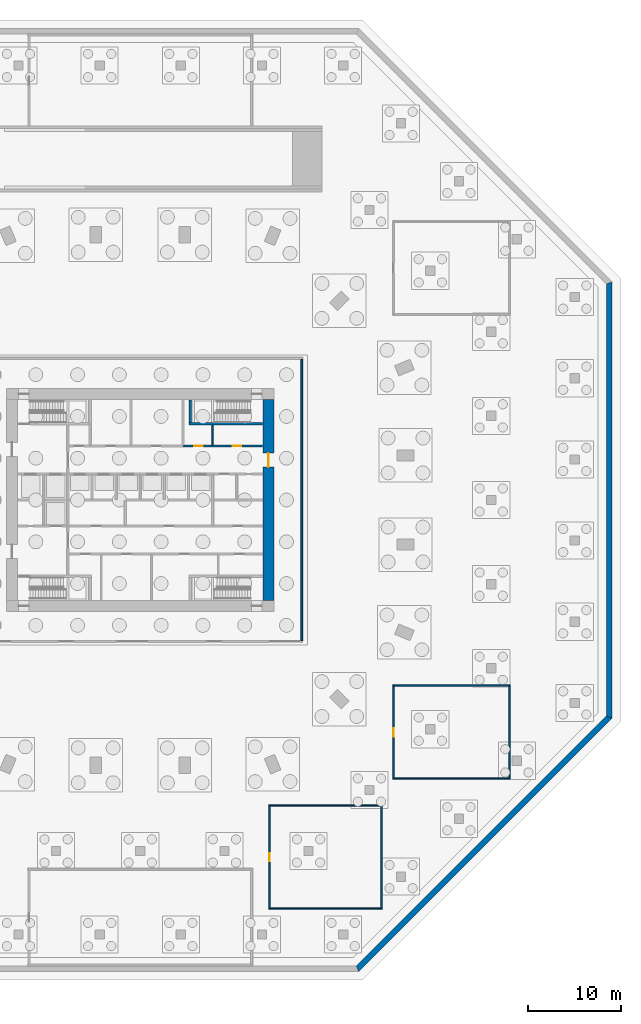
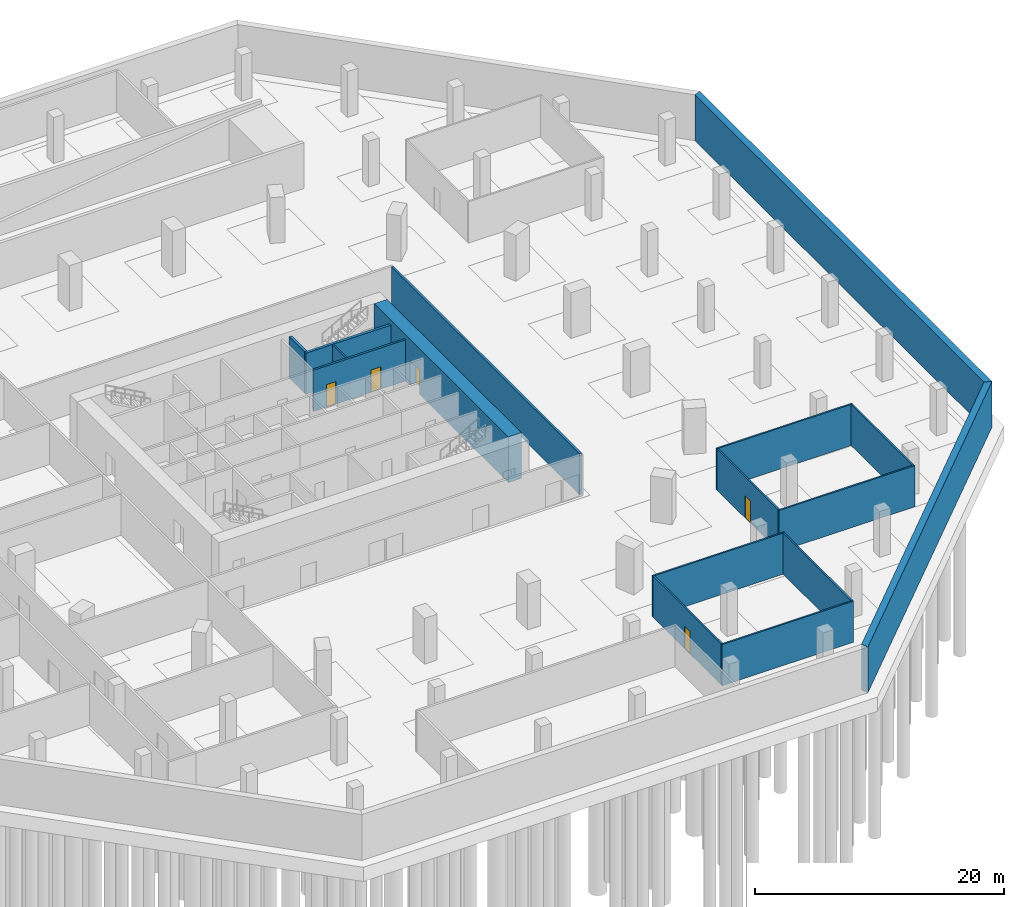
# One storey, part 9 of 14: 16 walls, 5 doors, 5 openings.
"""IFC4 building model written with IfcOpenShell, lengths in metres."""

from ifc_helpers import new_model, si_unit, direction, frame, frame_2d, origin, place, context, subcontext, project, spatial, polyline, rectangle, outline, extrude, material, layer, layer_set, type_object, element, fill, save


model = new_model("IFC4")

# Units and contexts
model_context = context("Model", 3, precision=1e-05, world=origin(), true_north=direction((0.0, 1.0)))
body_context = subcontext(model_context, "Body", "Model", "MODEL_VIEW")
ifc_project = project(units=[si_unit("LENGTHUNIT", "METRE"), si_unit("AREAUNIT", "SQUARE_METRE"), si_unit("VOLUMEUNIT", "CUBIC_METRE"), si_unit("PLANEANGLEUNIT", "RADIAN"), si_unit("MASSUNIT", "GRAM", prefix="KILO")], contexts=[model_context])

# Site, building, storey
site_placement = place(None, origin())
site = spatial("IfcSite", under=ifc_project, at=site_placement, CompositionType="ELEMENT")
building_placement = place(site_placement, origin())
building = spatial("IfcBuilding", under=site, at=building_placement, Name="Msitu Wima Residences", CompositionType="ELEMENT")
storey_placement = place(building_placement, frame((0.0, 0.0, -9.0)))
storey = spatial("IfcBuildingStorey", under=building, at=storey_placement, Name="B2", CompositionType="ELEMENT", Elevation=-9.0)

# Wall, opening, door
ifc_material_1 = material(Name="Concrete C80/95", Category="concrete")
ifc_layer_1 = layer(ifc_material_1, 1.199951171875)
ifc_layer_set_1 = layer_set([ifc_layer_1], Name="Concrete C80/95")
wall_type_1 = type_object("IfcWallType", Name="Core wall CW1200 C80/95", PredefinedType="SHEAR", material=ifc_layer_set_1)
wall_1_placement = place(storey_placement, frame((13.800048828125, -10.800048828125, 0.0), z_axis=(0.0, 0.0, 1.0), x_axis=(0.0, 1.0, 0.0)))
wall_1 = element("IfcWall", 1, at=wall_1_placement, inside=storey, type_object=wall_type_1, Name="Core wall", PredefinedType="SHEAR", context=body_context, shape_type="SweptSolid", body=[
    extrude(rectangle(XDim=21.60009765625, YDim=1.199951171875, at=frame_2d((10.800048828125, 0.0))), origin(), (0.0, 0.0, 1.0), 4.5),
])
opening_1_placement = place(wall_1_placement, frame((14.35009765625, 0.0, 0.0)))
opening_1 = element("IfcOpeningElement", 2, at=opening_1_placement, cuts=wall_1, Name="Opening DB2.046", PredefinedType="OPENING", context=body_context, shape_type="SweptSolid", body=[
    extrude(rectangle(XDim=1.5, YDim=2.39990234375, at=frame_2d((0.75, 1.199951171875))), frame((0.0, 0.60986328125, 0.0), z_axis=(0.0, -1.0, 0.0), x_axis=(1.0, 0.0, 0.0)), (0.0, 0.0, 1.0), 1.219970703125),
])
ifc_material_2 = material(Name="Steel framed glazed door, fire resisting", Category="steel")
door_type_1 = type_object("IfcDoorType", Name="Lobby door D07 1500x2400", OperationType="DOUBLE_DOOR_SINGLE_SWING", PredefinedType="DOOR", material=ifc_material_2)
door_1_placement = place(opening_1_placement, origin())
door_1 = element("IfcDoor", 3, at=door_1_placement, inside=storey, type_object=door_type_1, Name="Lobby door", OperationType="DOUBLE_DOOR_SINGLE_SWING", OverallHeight=2.39990234375, OverallWidth=1.5, PredefinedType="DOOR", context=body_context, shape_type="SweptSolid", body=[
    extrude(rectangle(XDim=1.5, YDim=2.39990234375, at=frame_2d((0.75, 1.199951171875))), frame((0.0, 0.02490234375, 0.0), z_axis=(0.0, -1.0, 0.0), x_axis=(1.0, 0.0, 0.0)), (0.0, 0.0, 1.0), 0.050048828125),
])
fill(opening_1, door_1)

# Wall, openings, doors
ifc_material_3 = material(Name="Plaster")
ifc_layer_2 = layer(ifc_material_3, 0.011962890625, Name="Plaster")
ifc_material_4 = material(Name="Concrete blockwork", Category="masonry")
ifc_layer_3 = layer(ifc_material_4, 0.176025390625, Name="Concrete blockwork")
ifc_layer_4 = layer(ifc_material_3, 0.011962890625, Name="Plaster")
ifc_layer_set_2 = layer_set([ifc_layer_2, ifc_layer_3, ifc_layer_4], Name="Concrete blockwork")
wall_type_2 = type_object("IfcWallType", Name="Corridor wall FW200", PredefinedType="PARTITIONING", material=ifc_layer_set_2)
wall_2_placement = place(storey_placement, frame((4.6201171875, 5.800048828125, 0.0), z_axis=(0.0, 0.0, 1.0), x_axis=(1.0, 0.0, 0.0)))
wall_2 = element("IfcWall", 4, at=wall_2_placement, inside=storey, type_object=wall_type_2, Name="Corridor wall", PredefinedType="PARTITIONING", context=body_context, shape_type="SweptSolid", body=[
    extrude(rectangle(XDim=8.5498046875, YDim=0.199951171875, at=frame_2d((4.27490234375, 0.0))), origin(), (0.0, 0.0, 1.0), 4.048095703125),
])
opening_2_placement = place(wall_2_placement, frame((1.199951171875, 0.0, 0.0)))
opening_2 = element("IfcOpeningElement", 5, at=opening_2_placement, cuts=wall_2, Name="Opening DB2.007", PredefinedType="OPENING", context=body_context, shape_type="SweptSolid", body=[
    extrude(rectangle(XDim=0.89990234375, YDim=2.199951171875, at=frame_2d((0.449951171875, 1.10009765625))), frame((0.0, 0.10986328125, 0.0), z_axis=(0.0, -1.0, 0.0), x_axis=(1.0, 0.0, 0.0)), (0.0, 0.0, 1.0), 0.219970703125),
])
opening_3_placement = place(wall_2_placement, frame((5.35009765625, 0.0, 0.0)))
opening_3 = element("IfcOpeningElement", 6, at=opening_3_placement, cuts=wall_2, Name="Opening DB2.008", PredefinedType="OPENING", context=body_context, shape_type="SweptSolid", body=[
    extrude(rectangle(XDim=0.89990234375, YDim=2.199951171875, at=frame_2d((0.449951171875, 1.10009765625))), frame((0.0, 0.10986328125, 0.0), z_axis=(0.0, -1.0, 0.0), x_axis=(1.0, 0.0, 0.0)), (0.0, 0.0, 1.0), 0.219970703125),
])
ifc_material_5 = material(Name="Timber flush door", Category="wood")
door_type_2 = type_object("IfcDoorType", Name="Service door D05 900x2200", OperationType="SINGLE_SWING_LEFT", PredefinedType="DOOR", material=ifc_material_5)
door_2_placement = place(opening_2_placement, origin())
door_2 = element("IfcDoor", 7, at=door_2_placement, inside=storey, type_object=door_type_2, Name="Service door", OperationType="SINGLE_SWING_RIGHT", OverallHeight=2.199951171875, OverallWidth=0.89990234375, PredefinedType="DOOR", context=body_context, shape_type="SweptSolid", body=[
    extrude(rectangle(XDim=0.89990234375, YDim=2.199951171875, at=frame_2d((0.449951171875, 1.10009765625))), frame((0.0, 0.02490234375, 0.0), z_axis=(0.0, -1.0, 0.0), x_axis=(1.0, 0.0, 0.0)), (0.0, 0.0, 1.0), 0.050048828125),
])
fill(opening_2, door_2)
door_3_placement = place(opening_3_placement, origin())
door_3 = element("IfcDoor", 8, at=door_3_placement, inside=storey, type_object=door_type_2, Name="Service door", OperationType="SINGLE_SWING_LEFT", OverallHeight=2.199951171875, OverallWidth=0.89990234375, PredefinedType="DOOR", context=body_context, shape_type="SweptSolid", body=[
    extrude(rectangle(XDim=0.89990234375, YDim=2.199951171875, at=frame_2d((0.449951171875, 1.10009765625))), frame((0.0, 0.02490234375, 0.0), z_axis=(0.0, -1.0, 0.0), x_axis=(1.0, 0.0, 0.0)), (0.0, 0.0, 1.0), 0.050048828125),
])
fill(opening_3, door_3)

# Walls
wall_3_placement = place(storey_placement, frame((17.39990234375, -15.15673828125, 0.0), z_axis=(0.0, 0.0, 1.0), x_axis=(0.0, 1.0, 0.0)))
element("IfcWall", 9, at=wall_3_placement, inside=storey, type_object=wall_type_2, Name="Corridor wall", PredefinedType="PARTITIONING", context=body_context, shape_type="SweptSolid", body=[
    extrude(rectangle(XDim=30.3134765625, YDim=0.199951171875, at=frame_2d((15.15673828125, 0.0))), origin(), (0.0, 0.0, 1.0), 4.048095703125),
])
ifc_layer_5 = layer(ifc_material_3, 0.011962890625, Name="Plaster")
ifc_layer_6 = layer(ifc_material_4, 0.1259765625, Name="Concrete blockwork")
ifc_layer_7 = layer(ifc_material_3, 0.011962890625, Name="Plaster")
ifc_layer_set_3 = layer_set([ifc_layer_5, ifc_layer_6, ifc_layer_7], Name="Concrete blockwork")
wall_type_3 = type_object("IfcWallType", Name="Partition PW150", PredefinedType="PARTITIONING", material=ifc_layer_set_3)
wall_4_placement = place(storey_placement, frame((7.800048828125, 5.89990234375, 0.0), z_axis=(0.0, 0.0, 1.0), x_axis=(0.0, 1.0, 0.0)))
element("IfcWall", 10, at=wall_4_placement, inside=storey, type_object=wall_type_3, Name="Partition", PredefinedType="PARTITIONING", context=body_context, shape_type="SweptSolid", body=[
    extrude(rectangle(XDim=2.175048828125, YDim=0.14990234375, at=frame_2d((1.08740234375, 0.0))), origin(), (0.0, 0.0, 1.0), 4.048095703125),
])

# Wall, opening, door
wall_5_placement = place(storey_placement, frame((13.91357421875, -43.925048828125, 0.0), z_axis=(0.0, 0.0, 1.0), x_axis=(0.0, 1.0, 0.0)))
wall_5 = element("IfcWall", 11, at=wall_5_placement, inside=storey, type_object=wall_type_3, Name="Partition", PredefinedType="PARTITIONING", context=body_context, shape_type="SweptSolid", body=[
    extrude(rectangle(XDim=10.949951171875, YDim=0.14990234375, at=frame_2d((5.47509765625, 0.0))), origin(), (0.0, 0.0, 1.0), 4.048095703125),
])
opening_4_placement = place(wall_5_placement, frame((5.0, 0.0, 0.0)))
opening_4 = element("IfcOpeningElement", 12, at=opening_4_placement, cuts=wall_5, Name="Opening DB2.043", PredefinedType="OPENING", context=body_context, shape_type="SweptSolid", body=[
    extrude(rectangle(XDim=0.89990234375, YDim=2.199951171875, at=frame_2d((0.449951171875, 1.10009765625))), frame((0.0, 0.0849609375, 0.0), z_axis=(0.0, -1.0, 0.0), x_axis=(1.0, 0.0, 0.0)), (0.0, 0.0, 1.0), 0.169921875),
])
door_4_placement = place(opening_4_placement, origin())
door_4 = element("IfcDoor", 13, at=door_4_placement, inside=storey, type_object=door_type_2, Name="Service door", OperationType="SINGLE_SWING_RIGHT", OverallHeight=2.199951171875, OverallWidth=0.89990234375, PredefinedType="DOOR", context=body_context, shape_type="SweptSolid", body=[
    extrude(rectangle(XDim=0.89990234375, YDim=2.199951171875, at=frame_2d((0.449951171875, 1.10009765625))), frame((0.0, 0.02490234375, 0.0), z_axis=(0.0, -1.0, 0.0), x_axis=(1.0, 0.0, 0.0)), (0.0, 0.0, 1.0), 0.050048828125),
])
fill(opening_4, door_4)

# Walls
for number, where, z_axis, x_axis, name in (
    (14, (13.838623046875, -44.0, 0.0), (0.0, 0.0, 1.0), (1.0, 0.0, 0.0), "Partition"),
    (15, (13.838623046875, -32.89990234375, 0.0), (0.0, 0.0, 1.0), (1.0, 0.0, 0.0), "Partition"),
):
    element("IfcWall", number, at=place(storey_placement, frame(where, z_axis=z_axis, x_axis=x_axis)), inside=storey, type_object=wall_type_3, Name=name, PredefinedType="PARTITIONING", context=body_context, shape_type="SweptSolid", body=[
        extrude(rectangle(XDim=12.236328125, YDim=0.14990234375, at=frame_2d((6.1181640625, 0.0))), origin(), (0.0, 0.0, 1.0), 4.048095703125),
    ])
wall_6_placement = place(storey_placement, frame((26.0, -43.925048828125, 0.0), z_axis=(0.0, 0.0, 1.0), x_axis=(0.0, 1.0, 0.0)))
element("IfcWall", 16, at=wall_6_placement, inside=storey, type_object=wall_type_3, Name="Partition", PredefinedType="PARTITIONING", context=body_context, shape_type="SweptSolid", body=[
    extrude(rectangle(XDim=10.949951171875, YDim=0.14990234375, at=frame_2d((5.47509765625, 0.0))), origin(), (0.0, 0.0, 1.0), 4.048095703125),
])

# Wall, opening, door
wall_7_placement = place(storey_placement, frame((27.2919921875, -29.925048828125, 0.0), z_axis=(0.0, 0.0, 1.0), x_axis=(0.0, 1.0, 0.0)))
wall_7 = element("IfcWall", 17, at=wall_7_placement, inside=storey, type_object=wall_type_3, Name="Partition", PredefinedType="PARTITIONING", context=body_context, shape_type="SweptSolid", body=[
    extrude(rectangle(XDim=9.85009765625, YDim=0.14990234375, at=frame_2d((4.925048828125, 0.0))), origin(), (0.0, 0.0, 1.0), 4.048095703125),
])
opening_5_placement = place(wall_7_placement, frame((4.449951171875, 0.0, 0.0)))
opening_5 = element("IfcOpeningElement", 18, at=opening_5_placement, cuts=wall_7, Name="Opening DB2.045", PredefinedType="OPENING", context=body_context, shape_type="SweptSolid", body=[
    extrude(rectangle(XDim=0.89990234375, YDim=2.199951171875, at=frame_2d((0.449951171875, 1.10009765625))), frame((0.0, 0.0849609375, 0.0), z_axis=(0.0, -1.0, 0.0), x_axis=(1.0, 0.0, 0.0)), (0.0, 0.0, 1.0), 0.169921875),
])
door_5_placement = place(opening_5_placement, origin())
door_5 = element("IfcDoor", 19, at=door_5_placement, inside=storey, type_object=door_type_2, Name="Service door", OperationType="SINGLE_SWING_RIGHT", OverallHeight=2.199951171875, OverallWidth=0.89990234375, PredefinedType="DOOR", context=body_context, shape_type="SweptSolid", body=[
    extrude(rectangle(XDim=0.89990234375, YDim=2.199951171875, at=frame_2d((0.449951171875, 1.10009765625))), frame((0.0, 0.02490234375, 0.0), z_axis=(0.0, -1.0, 0.0), x_axis=(1.0, 0.0, 0.0)), (0.0, 0.0, 1.0), 0.050048828125),
])
fill(opening_5, door_5)

# Walls
for number, where, z_axis, x_axis, name in (
    (20, (27.216796875, -30.0, 0.0), (0.0, 0.0, 1.0), (1.0, 0.0, 0.0), "Partition"),
    (21, (27.216796875, -20.0, 0.0), (0.0, 0.0, 1.0), (1.0, 0.0, 0.0), "Partition"),
):
    element("IfcWall", number, at=place(storey_placement, frame(where, z_axis=z_axis, x_axis=x_axis)), inside=storey, type_object=wall_type_3, Name=name, PredefinedType="PARTITIONING", context=body_context, shape_type="SweptSolid", body=[
        extrude(rectangle(XDim=12.6220703125, YDim=0.14990234375, at=frame_2d((6.31103515625, 0.0))), origin(), (0.0, 0.0, 1.0), 4.048095703125),
    ])
wall_8_placement = place(storey_placement, frame((39.763916015625, -29.925048828125, 0.0), z_axis=(0.0, 0.0, 1.0), x_axis=(0.0, 1.0, 0.0)))
element("IfcWall", 22, at=wall_8_placement, inside=storey, type_object=wall_type_3, Name="Partition", PredefinedType="PARTITIONING", context=body_context, shape_type="SweptSolid", body=[
    extrude(rectangle(XDim=9.85009765625, YDim=0.14990234375, at=frame_2d((4.925048828125, 0.0))), origin(), (0.0, 0.0, 1.0), 4.048095703125),
])
ifc_material_6 = material(Name="Concrete C60/75", Category="concrete")
ifc_layer_8 = layer(ifc_material_6, 0.60009765625)
ifc_layer_set_4 = layer_set([ifc_layer_8], Name="Concrete C60/75")
wall_type_4 = type_object("IfcWallType", Name="Retaining wall RW600", PredefinedType="SOLIDWALL", material=ifc_layer_set_4)
wall_9_placement = place(storey_placement, origin())
element("IfcWall", 23, at=wall_9_placement, inside=storey, type_object=wall_type_4, Name="Basement retaining wall E B2", PredefinedType="SOLIDWALL", context=body_context, shape_type="SweptSolid", body=[
    extrude(outline(polyline([(50.800048828125, -23.5126953125), (50.800048828125, 23.5126953125), (50.199951171875, 23.26416015625), (50.199951171875, -23.26416015625), (50.800048828125, -23.5126953125)])), origin(), (0.0, 0.0, 1.0), 4.5),
])
wall_10_placement = place(storey_placement, origin())
element("IfcWall", 24, at=wall_10_placement, inside=storey, type_object=wall_type_4, Name="Basement retaining wall SE B2", PredefinedType="SOLIDWALL", context=body_context, shape_type="SweptSolid", body=[
    extrude(outline(polyline([(23.5126953125, -50.800048828125), (50.800048828125, -23.5126953125), (50.199951171875, -23.26416015625), (23.26416015625, -50.199951171875), (23.5126953125, -50.800048828125)])), origin(), (0.0, 0.0, 1.0), 4.5),
])
ifc_material_7 = material(Name="Concrete C50/60", Category="concrete")
ifc_layer_9 = layer(ifc_material_7, 0.25)
ifc_layer_set_5 = layer_set([ifc_layer_9], Name="Concrete C50/60")
wall_type_5 = type_object("IfcWallType", Name="Stair enclosure wall SW250", PredefinedType="SHEAR", material=ifc_layer_set_5)
wall_11_placement = place(storey_placement, frame((5.39990234375, 8.324951171875, 0.0), z_axis=(0.0, 0.0, 1.0), x_axis=(0.0, 1.0, 0.0)))
element("IfcWall", 25, at=wall_11_placement, inside=storey, type_object=wall_type_5, Name="Stair enclosure wall", PredefinedType="SHEAR", context=body_context, shape_type="SweptSolid", body=[
    extrude(rectangle(XDim=2.445068359375, YDim=0.25, at=frame_2d((1.22265625, 0.0))), origin(), (0.0, 0.0, 1.0), 4.048095703125),
])
wall_12_placement = place(storey_placement, frame((5.27490234375, 8.199951171875, 0.0), z_axis=(0.0, 0.0, 1.0), x_axis=(1.0, 0.0, 0.0)))
element("IfcWall", 26, at=wall_12_placement, inside=storey, type_object=wall_type_5, Name="Stair enclosure wall", PredefinedType="SHEAR", context=body_context, shape_type="SweptSolid", body=[
    extrude(rectangle(XDim=7.89501953125, YDim=0.25, at=frame_2d((3.947509765625, 0.0))), origin(), (0.0, 0.0, 1.0), 4.048095703125),
])

save(model, "model.ifc")
